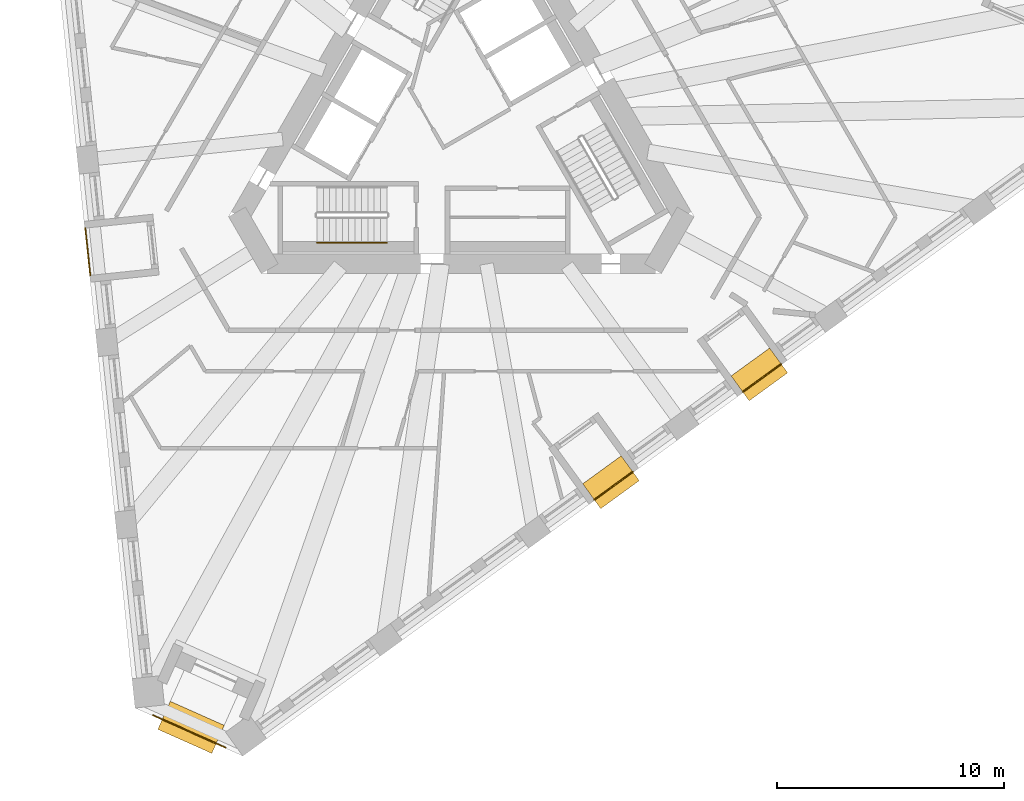
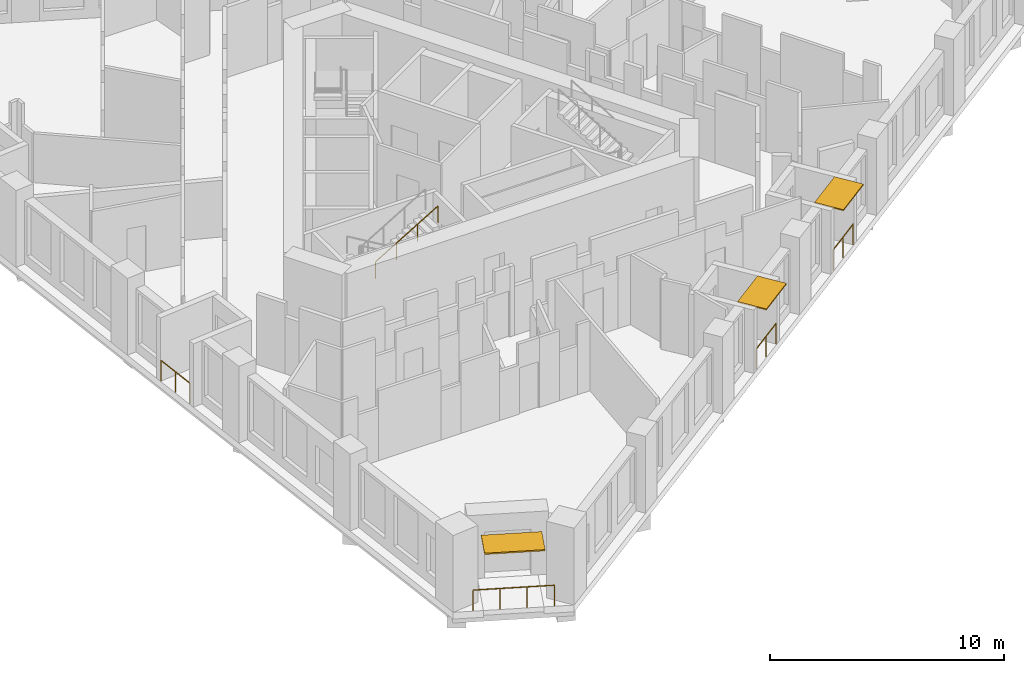
# One storey, part 10 of 14: 5 railings, 3 shading devices.
"""IFC4 building model written with IfcOpenShell, lengths in metres."""

import ifcopenshell
import ifcopenshell.guid

model = None  # the IFC model being written
_history = None  # IfcOwnerHistory: only IFC2X3 demands one
_inside = {}  # id of a spatial element -> (the spatial element, [elements in it])
_under = {}  # id of a project, library or spatial element -> (it, [spatial elements below it])
_declared = {}  # id of a project -> (the project, [libraries it declares])
_typed = {}  # id of a type object -> (the type object, [elements of that type])
_made_of = {}  # id of a material, layer set ... -> (it, [elements and type objects made of it])


def new_model(schema):
    """Start an empty IFC model of exactly this schema.

    Asked for "IFC4X3", IfcOpenShell would pick the latest addendum, in which some entities
    have other attributes; the version numbers below select the first issue.
    IFC2X3 requires an IfcOwnerHistory on every rooted entity: one is made here for all.
    """
    global model, _history
    if schema == "IFC4X3":
        model = ifcopenshell.file(schema_version=(4, 3, 0, 0))
    else:
        model = ifcopenshell.file(schema=schema)
    _inside.clear()
    _under.clear()
    _declared.clear()
    _typed.clear()
    _made_of.clear()
    _history = None
    if model.schema == "IFC2X3":
        org = make("IfcOrganization", Name="unknown")
        user = make(
            "IfcPersonAndOrganization",
            ThePerson=make("IfcPerson", FamilyName="unknown"),
            TheOrganization=org,
        )
        app = make(
            "IfcApplication",
            ApplicationDeveloper=org,
            Version="unknown",
            ApplicationFullName="unknown",
            ApplicationIdentifier="unknown",
        )
        _history = make(
            "IfcOwnerHistory",
            OwningUser=user,
            OwningApplication=app,
            ChangeAction="ADDED",
            CreationDate=0,
        )
    return model


def make(cls, **values):
    """One entity of the class cls with the attributes given. An attribute that is None is left unset."""
    return model.create_entity(
        cls, **{name: value for name, value in values.items() if value is not None}
    )


def rooted(cls, **values):
    """An entity with a GlobalId (a new one), such as an element, a storey or a relation."""
    return make(cls, GlobalId=ifcopenshell.guid.new(), OwnerHistory=_history, **values)


def si_unit(unit_type, name, prefix=None):
    """IfcSIUnit, for example si_unit("LENGTHUNIT", "METRE", prefix="MILLI")."""
    return make("IfcSIUnit", UnitType=unit_type, Prefix=prefix, Name=name)


def assignment(units):
    """IfcUnitAssignment: the units of a project."""
    return None if units is None else make("IfcUnitAssignment", Units=units)


def point(xyz):
    """IfcCartesianPoint."""
    return None if xyz is None else make("IfcCartesianPoint", Coordinates=xyz)


def direction(xyz):
    """IfcDirection."""
    return None if xyz is None else make("IfcDirection", DirectionRatios=xyz)


def frame(location, z_axis=None, x_axis=None):
    """IfcAxis2Placement3D, a coordinate frame: its origin and axes. An axis left out is left unset."""
    return make(
        "IfcAxis2Placement3D",
        Location=point(location),
        Axis=direction(z_axis),
        RefDirection=direction(x_axis),
    )


def frame_2d(location, x_axis=None):
    """IfcAxis2Placement2D, a coordinate frame in the plane: its origin and x axis."""
    return make(
        "IfcAxis2Placement2D", Location=point(location), RefDirection=direction(x_axis)
    )


def origin():
    """The frame at (0, 0, 0) with its axes left unset."""
    return frame((0.0, 0.0, 0.0))


def origin_2d():
    """The frame at (0, 0) in the plane with its x axis left unset."""
    return frame_2d((0.0, 0.0))


def place(relative_to, where):
    """IfcLocalPlacement: puts the frame where relative to a parent placement (None: the world)."""
    return make(
        "IfcLocalPlacement", PlacementRelTo=relative_to, RelativePlacement=where
    )


def context(
    kind, dimensions, precision=None, world=None, true_north=None, identifier=None
):
    """IfcGeometricRepresentationContext, for example the 3D "Model" context."""
    return make(
        "IfcGeometricRepresentationContext",
        ContextIdentifier=identifier,
        ContextType=kind,
        CoordinateSpaceDimension=dimensions,
        Precision=precision,
        WorldCoordinateSystem=world,
        TrueNorth=true_north,
    )


def subcontext(parent, identifier, kind, view, scale=None):
    """IfcGeometricRepresentationSubContext, for example "Body" below "Model"."""
    return make(
        "IfcGeometricRepresentationSubContext",
        ContextIdentifier=identifier,
        ContextType=kind,
        ParentContext=parent,
        TargetScale=scale,
        TargetView=view,
    )


def project(units=None, contexts=None):
    """IfcProject with its units and contexts."""
    return rooted(
        "IfcProject",
        Name="project",
        RepresentationContexts=contexts,
        UnitsInContext=assignment(units),
    )


def spatial(cls, under=None, at=None, **own):
    """A site, building, storey or space (cls), placed at a placement, below another one or the project."""
    s = rooted(cls, ObjectPlacement=at, **own)
    if under is not None:
        _under.setdefault(under.id(), (under, []))[1].append(s)
    return s


def profile(cls, at=None, kind="AREA", **sizes):
    """A parametric profile (cls). Its sizes go by their IFC names, for example OverallWidth=200.0."""
    return make(cls, ProfileType=kind, Position=at, **sizes)


def rectangle(**sizes):
    """IfcRectangleProfileDef."""
    return profile("IfcRectangleProfileDef", **sizes)


def circle(**sizes):
    """IfcCircleProfileDef."""
    return profile("IfcCircleProfileDef", **sizes)


def extrude(swept, where, along, depth):
    """IfcExtrudedAreaSolid: the profile swept, set in the frame where, extruded along a direction by depth."""
    return make(
        "IfcExtrudedAreaSolid",
        SweptArea=swept,
        Position=where,
        ExtrudedDirection=direction(along),
        Depth=depth,
    )


def shape(context_of_items, identifier, shape_type, items):
    """IfcShapeRepresentation: the items that make up one representation, for example the "Body"."""
    return make(
        "IfcShapeRepresentation",
        ContextOfItems=context_of_items,
        RepresentationIdentifier=identifier,
        RepresentationType=shape_type,
        Items=items,
    )


def material(Name=None, Category=None):
    """IfcMaterial."""
    return make("IfcMaterial", Name=Name, Category=Category)


def layer(
    of_material, thickness, ventilated=None, Name=None, Category=None, Priority=None
):
    """IfcMaterialLayer: one layer of a wall or slab, of a material (None: an air gap)."""
    return make(
        "IfcMaterialLayer",
        Material=of_material,
        LayerThickness=thickness,
        IsVentilated=ventilated,
        Name=Name,
        Category=Category,
        Priority=Priority,
    )


def layer_set(layers, Name=None):
    """IfcMaterialLayerSet."""
    return make("IfcMaterialLayerSet", MaterialLayers=layers, LayerSetName=Name)


def made_of(thing, what):
    """Note that an element or type object is made of a material, layer set ...; save() writes the relation."""
    if what is not None:
        _made_of.setdefault(what.id(), (what, []))[1].append(thing)
    return thing


def type_object(cls, material=None, **own):
    """A type object (cls), such as IfcWallType, which elements share."""
    return made_of(rooted(cls, **own), material)


def element(
    cls,
    number,
    at=None,
    inside=None,
    cuts=None,
    type_object=None,
    material=None,
    context=None,
    identifier="Body",
    shape_type=None,
    held_by="IfcProductDefinitionShape",
    body=None,
    shapes=None,
    **own,
):
    """One element of the class cls, such as IfcWall. Its Tag is "e" and its number.

    at: its placement. inside: the storey or other place that contains it. cuts: it is an
    opening in that element (IfcRelVoidsElement). A single representation is given by context,
    identifier, shape_type and body (its items); several are given by shapes. held_by: the class
    of the entity that holds the representations. save() writes the other relations.
    """
    e = rooted(cls, Tag="e%d" % number, ObjectPlacement=at, **own)
    if body is not None:
        shapes = [shape(context, identifier, shape_type, body)]
    if shapes is not None:
        e.Representation = make(held_by, Representations=shapes)
    if inside is not None:
        _inside.setdefault(inside.id(), (inside, []))[1].append(e)
    if cuts is not None:
        rooted(
            "IfcRelVoidsElement", RelatingBuildingElement=cuts, RelatedOpeningElement=e
        )
    if type_object is not None:
        _typed.setdefault(type_object.id(), (type_object, []))[1].append(e)
    return made_of(e, material)


def aggregate(whole, parts):
    """IfcRelAggregates: a whole, such as a stair, and the parts it consists of."""
    return rooted("IfcRelAggregates", RelatingObject=whole, RelatedObjects=parts)


def save(model, path):
    """Write the relations noted so far, then the file.

    IfcRelAggregates (storeys below a building ...), IfcRelContainedInSpatialStructure (elements
    in a storey), IfcRelDefinesByType, IfcRelAssociatesMaterial and IfcRelDeclares: one each for
    every whole, place, type object, material and project.
    """
    for whole, parts in _under.values():
        aggregate(whole, parts)
    for where, things in _inside.values():
        rooted(
            "IfcRelContainedInSpatialStructure",
            RelatedElements=things,
            RelatingStructure=where,
        )
    for kind, things in _typed.values():
        rooted("IfcRelDefinesByType", RelatedObjects=things, RelatingType=kind)
    for what, things in _made_of.values():
        rooted("IfcRelAssociatesMaterial", RelatedObjects=things, RelatingMaterial=what)
    for by, libraries in _declared.values():
        rooted("IfcRelDeclares", RelatingContext=by, RelatedDefinitions=libraries)
    model.write(path)


model = new_model("IFC4")

# Units and contexts
model_context = context("Model", 3, precision=1e-05, world=origin(), true_north=direction((0.0, 1.0)))
body_context = subcontext(model_context, "Body", "Model", "MODEL_VIEW")
ifc_project = project(units=[si_unit("LENGTHUNIT", "METRE"), si_unit("AREAUNIT", "SQUARE_METRE"), si_unit("VOLUMEUNIT", "CUBIC_METRE"), si_unit("PLANEANGLEUNIT", "RADIAN"), si_unit("MASSUNIT", "GRAM", prefix="KILO")], contexts=[model_context])

# Site, building, storey
site_placement = place(None, origin())
site = spatial("IfcSite", under=ifc_project, at=site_placement, CompositionType="ELEMENT")
building_placement = place(site_placement, origin())
building = spatial("IfcBuilding", under=site, at=building_placement, Name="Tramontana Tower", CompositionType="ELEMENT")
storey_placement = place(building_placement, frame((0.0, 0.0, 186.800048828125)))
storey = spatial("IfcBuildingStorey", under=building, at=storey_placement, Name="L43", CompositionType="ELEMENT", Elevation=186.800048828125)

# Railings
ifc_material_1 = material(Name="Laminated glass balustrade", Category="glass")
railing_type_1 = type_object("IfcRailingType", Name="GD1 Loggia glass balustrade 1100", PredefinedType="BALUSTRADE", material=ifc_material_1)
railing_1_placement = place(storey_placement, frame((-16.56396484375, -4.751708984375, 0.0)))
element("IfcRailing", 1, at=railing_1_placement, inside=storey, type_object=railing_type_1, Name="Loggia balustrade L43 G4S0.10", PredefinedType="BALUSTRADE", context=body_context, shape_type="SweptSolid", body=[
    extrude(circle(Radius=0.02392578125, at=origin_2d()), frame((0.0, 0.0, 1.076171875), z_axis=(0.104454180193, -0.994529700029, 0.0), x_axis=(0.994529700029, 0.104454180193, 0.0)), (0.0, 0.0, 1.0), 2.09423828125),
    extrude(circle(Radius=0.02099609375, at=origin_2d()), origin(), (0.0, 0.0, 1.0), 1.052001953125),
    extrude(circle(Radius=0.02099609375, at=origin_2d()), frame((0.109375, -1.04150390625, 0.0)), (0.0, 0.0, 1.0), 1.052001953125),
    extrude(circle(Radius=0.02099609375, at=origin_2d()), frame((0.21875, -2.082763671875, 0.0)), (0.0, 0.0, 1.0), 1.052001953125),
])
for number, where, name in (
    (2, (5.85791015625, -16.719970703125, 0.0), "Loggia balustrade L43 G4S1.7"),
    (3, (12.397216796875, -11.968994140625, 0.0), "Loggia balustrade L43 G4S1.10"),
):
    element("IfcRailing", number, at=place(storey_placement, frame(where)), inside=storey, type_object=railing_type_1, Name=name, PredefinedType="BALUSTRADE", context=body_context, shape_type="SweptSolid", body=[
        extrude(circle(Radius=0.02392578125, at=origin_2d()), frame((0.0, 0.0, 1.076171875), z_axis=(0.809028366311, 0.587769599847, 0.0), x_axis=(-0.587769599847, 0.809028366311, 0.0)), (0.0, 0.0, 1.0), 2.09423828125),
        extrude(circle(Radius=0.02099609375, at=origin_2d()), origin(), (0.0, 0.0, 1.0), 1.052001953125),
        extrude(circle(Radius=0.02099609375, at=origin_2d()), frame((0.84716796875, 0.615478515625, 0.0)), (0.0, 0.0, 1.0), 1.052001953125),
        extrude(circle(Radius=0.02099609375, at=origin_2d()), frame((1.6943359375, 1.23095703125, 0.0)), (0.0, 0.0, 1.0), 1.052001953125),
    ])
railing_2_placement = place(storey_placement, frame((-10.387939453125, -27.634033203125, 0.0)))
element("IfcRailing", 4, at=railing_2_placement, inside=storey, type_object=railing_type_1, Name="Corner loggia balustrade L43 K41", PredefinedType="BALUSTRADE", context=body_context, shape_type="SweptSolid", body=[
    extrude(circle(Radius=0.02392578125, at=origin_2d()), frame((0.0, 0.0, 1.076171875), z_axis=(-0.913538066796, 0.406753242783, 0.0), x_axis=(-0.406753242783, -0.913538066796, 0.0)), (0.0, 0.0, 1.0), 3.499755859375),
    extrude(circle(Radius=0.02099609375, at=origin_2d()), origin(), (0.0, 0.0, 1.0), 1.052001953125),
    extrude(circle(Radius=0.02099609375, at=origin_2d()), frame((-1.065673828125, 0.474609375, 0.0)), (0.0, 0.0, 1.0), 1.052001953125),
    extrude(circle(Radius=0.02099609375, at=origin_2d()), frame((-2.131591796875, 0.948974609375, 0.0)), (0.0, 0.0, 1.0), 1.052001953125),
    extrude(circle(Radius=0.02099609375, at=origin_2d()), frame((-3.197265625, 1.423583984375, 0.0)), (0.0, 0.0, 1.0), 1.052001953125),
])

# Shading devices
ifc_material_2 = material(Name="Precast concrete 60 MPa", Category="concrete")
ifc_layer_1 = layer(ifc_material_2, 0.06005859375)
ifc_layer_set_1 = layer_set([ifc_layer_1], Name="SS1 Stone sunshade blade 60")
shading_device_type_1 = type_object("IfcShadingDeviceType", Name="SS1 Stone sunshade blade 60", PredefinedType="USERDEFINED", material=ifc_layer_set_1)
for number, where, z_axis, x_axis, name in (
    (5, (6.590576171875, -15.94677734375, 3.239990234375), (0.0, 0.0, 1.0), (0.809016994375, 0.587785252292, 0.0), "Sunshade L43 G4S1.7"),
    (6, (13.129638671875, -11.19580078125, 3.239990234375), (0.0, 0.0, 1.0), (0.809016994375, 0.587785252292, 0.0), "Sunshade L43 G4S1.10"),
):
    element("IfcShadingDevice", number, at=place(storey_placement, frame(where, z_axis=z_axis, x_axis=x_axis)), inside=storey, type_object=shading_device_type_1, Name=name, ObjectType="SUNSHADE", PredefinedType="USERDEFINED", context=body_context, shape_type="SweptSolid", body=[
        extrude(rectangle(XDim=2.09423828125, YDim=1.35009765625, at=origin_2d()), origin(), (0.0, 0.0, 1.0), 0.06005859375),
    ])
ifc_material_3 = material(Name="Precast concrete 60 MPa", Category="concrete")
ifc_layer_2 = layer(ifc_material_3, 0.070068359375)
ifc_layer_set_2 = layer_set([ifc_layer_2], Name="SS2 Stone sunshade blade 70")
shading_device_type_2 = type_object("IfcShadingDeviceType", Name="SS2 Stone sunshade blade 70", PredefinedType="USERDEFINED", material=ifc_layer_set_2)
shading_device_placement = place(storey_placement, frame((-11.9072265625, -26.744140625, 3.22998046875), z_axis=(0.0, 0.0, 1.0), x_axis=(-0.913545457643, 0.406736643076, 0.0)))
element("IfcShadingDevice", 7, at=shading_device_placement, inside=storey, type_object=shading_device_type_2, Name="Corner sunshade L43 K41", ObjectType="SUNSHADE", PredefinedType="USERDEFINED", context=body_context, shape_type="SweptSolid", body=[
    extrude(rectangle(XDim=2.60009765625, YDim=1.35009765625, at=origin_2d()), origin(), (0.0, 0.0, 1.0), 0.070068359375),
])

# Railing
ifc_material_4 = material(Name="Painted steel", Category="steel")
railing_type_2 = type_object("IfcRailingType", Name="STAIR HANDRAIL 900", PredefinedType="HANDRAIL", material=ifc_material_4)
railing_3_placement = place(storey_placement, frame((-6.360107421875, -5.39990234375, 2.16650390625)))
element("IfcRailing", 8, at=railing_3_placement, inside=storey, type_object=railing_type_2, Name="L43 ST2 stair handrail 2", PredefinedType="HANDRAIL", context=body_context, shape_type="SweptSolid", body=[
    extrude(circle(Radius=0.02392578125, at=origin_2d()), frame((0.0, 0.0, 0.8759765625), z_axis=(0.85927862911, 0.0, 0.511507807912), x_axis=(0.0, 1.0, 0.0)), (0.0, 0.0, 1.0), 3.58447265625),
    extrude(circle(Radius=0.02099609375, at=origin_2d()), origin(), (0.0, 0.0, 1.0), 0.851806640625),
    extrude(circle(Radius=0.02099609375, at=origin_2d()), frame((1.026611328125, 0.0, 0.611083984375)), (0.0, 0.0, 1.0), 0.851806640625),
    extrude(circle(Radius=0.02099609375, at=origin_2d()), frame((2.053466796875, 0.0, 1.222412109375)), (0.0, 0.0, 1.0), 0.851806640625),
    extrude(circle(Radius=0.02099609375, at=origin_2d()), frame((3.080078125, 0.0, 1.83349609375)), (0.0, 0.0, 1.0), 0.851806640625),
])

save(model, "model.ifc")
